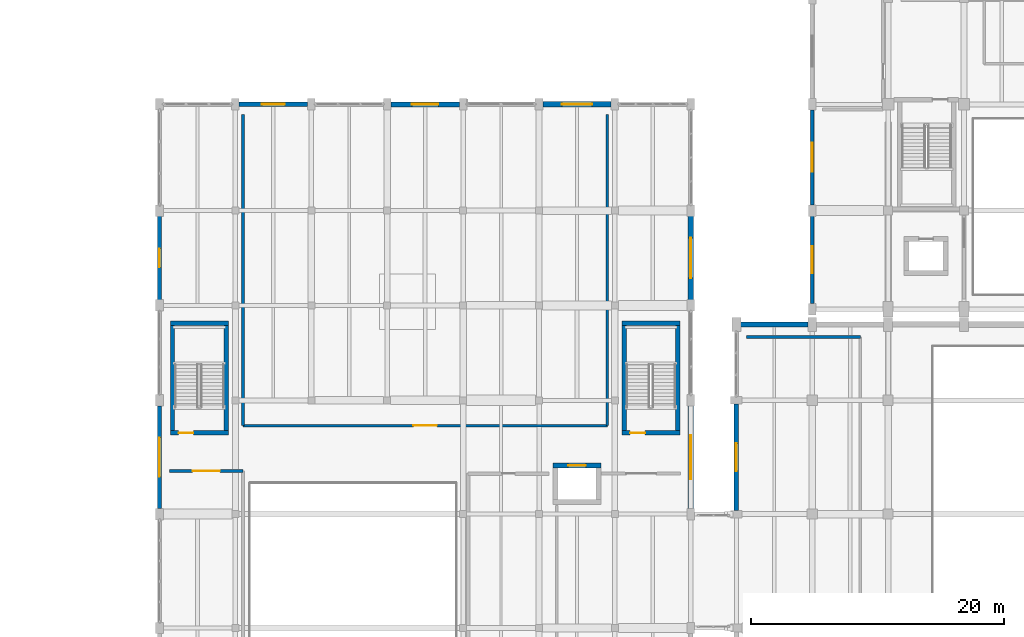
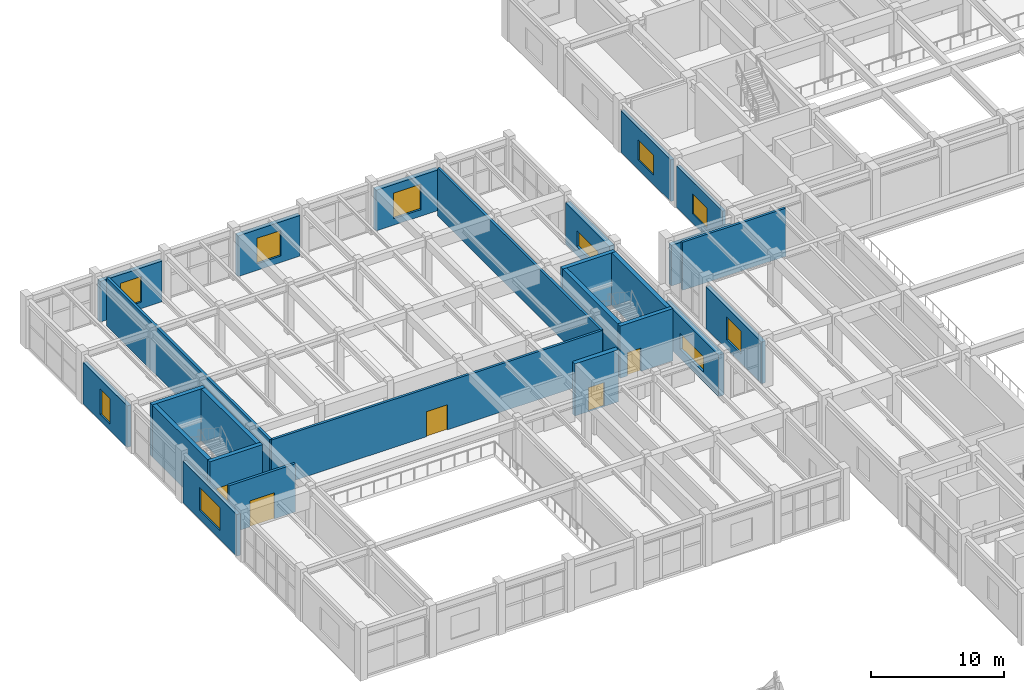
# One storey, part 71 of 96: 25 walls, 10 windows, 5 doors, 15 openings.
"""IFC4 building model written with IfcOpenShell, lengths in metres."""

from ifc_helpers import new_model, si_unit, direction, frame, frame_2d, origin, place, context, subcontext, project, spatial, rectangle, extrude, material, layer, layer_set, type_object, element, fill, save


model = new_model("IFC4")

# Units and contexts
model_context = context("Model", 3, precision=1e-05, world=origin(), true_north=direction((0.0, 1.0)))
body_context = subcontext(model_context, "Body", "Model", "MODEL_VIEW")
ifc_project = project(units=[si_unit("LENGTHUNIT", "METRE"), si_unit("AREAUNIT", "SQUARE_METRE"), si_unit("VOLUMEUNIT", "CUBIC_METRE"), si_unit("PLANEANGLEUNIT", "RADIAN"), si_unit("MASSUNIT", "GRAM", prefix="KILO")], contexts=[model_context])

# Site, building, storey
site_placement = place(None, origin())
site = spatial("IfcSite", under=ifc_project, at=site_placement, CompositionType="ELEMENT")
building_placement = place(site_placement, origin())
building = spatial("IfcBuilding", under=site, at=building_placement, Name="Vaelkrest Opera House", CompositionType="ELEMENT")
storey_placement = place(building_placement, frame((0.0, 0.0, 5.39990234375)))
storey = spatial("IfcBuildingStorey", under=building, at=storey_placement, Name="L01", CompositionType="ELEMENT", Elevation=5.39990234375)

# Wall, opening, window
ifc_material_1 = material(Name="Douglas fir glulam GL28h", Category="wood")
ifc_layer_1 = layer(ifc_material_1, 0.27490234375)
ifc_layer_set_1 = layer_set([ifc_layer_1], Name="Douglas fir glulam GL28h")
wall_type_1 = type_object("IfcWallType", Name="EW02", PredefinedType="STANDARD", material=ifc_layer_set_1)
wall_1_placement = place(storey_placement, frame((-24.0, 17.847900390625, 0.0), z_axis=(0.0, 0.0, 1.0), x_axis=(0.0, 1.0, 0.0)))
wall_1 = element("IfcWall", 1, at=wall_1_placement, inside=storey, type_object=wall_type_1, Name="Exterior facade wall EW-V2-L01-0342", PredefinedType="STANDARD", context=body_context, shape_type="SweptSolid", body=[
    extrude(rectangle(XDim=6.904052734375, YDim=0.27490234375, at=frame_2d((3.4521484375, 0.0))), origin(), (0.0, 0.0, 1.0), 3.8291015625),
])
opening_1_placement = place(wall_1_placement, frame((2.376953125, 0.0, 0.85009765625)))
opening_1 = element("IfcOpeningElement", 2, at=opening_1_placement, cuts=wall_1, Name="Opening WN216", PredefinedType="OPENING", context=body_context, shape_type="SweptSolid", body=[
    extrude(rectangle(XDim=2.14990234375, YDim=1.85009765625, at=frame_2d((1.074951171875, 0.925048828125))), frame((0.0, 0.1474609375, 0.0), z_axis=(0.0, -1.0, 0.0), x_axis=(1.0, 0.0, 0.0)), (0.0, 0.0, 1.0), 0.294921875),
])
ifc_material_2 = material(Name="Double low-E insulated glazing", Category="glass")
window_type_1 = type_object("IfcWindowType", Name="WT08", PartitioningType="SINGLE_PANEL", PredefinedType="WINDOW", material=ifc_material_2)
window_1_placement = place(opening_1_placement, origin())
window_1 = element("IfcWindow", 3, at=window_1_placement, inside=storey, type_object=window_type_1, Name="Facade window WN216", OverallHeight=1.85009765625, OverallWidth=2.14990234375, PartitioningType="SINGLE_PANEL", PredefinedType="WINDOW", context=body_context, shape_type="SweptSolid", body=[
    extrude(rectangle(XDim=2.14990234375, YDim=1.85009765625, at=frame_2d((1.074951171875, 0.925048828125))), frame((0.0, 0.030029296875, 0.0), z_axis=(0.0, -1.0, 0.0), x_axis=(1.0, 0.0, 0.0)), (0.0, 0.0, 1.0), 0.06005859375),
])
fill(opening_1, window_1)

ifc_layer_2 = layer(ifc_material_1, 0.294921875)
ifc_layer_set_2 = layer_set([ifc_layer_2], Name="Douglas fir glulam GL28h")
wall_type_2 = type_object("IfcWallType", Name="EW03", PredefinedType="STANDARD", material=ifc_layer_set_2)
wall_2_placement = place(storey_placement, frame((-24.0, 25.64794921875, 0.0), z_axis=(0.0, 0.0, 1.0), x_axis=(0.0, 1.0, 0.0)))
wall_2 = element("IfcWall", 4, at=wall_2_placement, inside=storey, type_object=wall_type_2, Name="Exterior facade wall EW-V2-L01-0343", PredefinedType="STANDARD", context=body_context, shape_type="SweptSolid", body=[
    extrude(rectangle(XDim=7.504150390625, YDim=0.294921875, at=frame_2d((3.751953125, 0.0))), origin(), (0.0, 0.0, 1.0), 3.8291015625),
])
opening_2_placement = place(wall_2_placement, frame((2.60205078125, 0.0, 0.85009765625)))
opening_2 = element("IfcOpeningElement", 5, at=opening_2_placement, cuts=wall_2, Name="Opening WN217", PredefinedType="OPENING", context=body_context, shape_type="SweptSolid", body=[
    extrude(rectangle(XDim=2.300048828125, YDim=1.85009765625, at=frame_2d((1.14990234375, 0.925048828125))), frame((0.0, 0.157470703125, 0.0), z_axis=(0.0, -1.0, 0.0), x_axis=(1.0, 0.0, 0.0)), (0.0, 0.0, 1.0), 0.31494140625),
])
window_type_2 = type_object("IfcWindowType", Name="WT09", PartitioningType="SINGLE_PANEL", PredefinedType="WINDOW", material=ifc_material_2)
window_2_placement = place(opening_2_placement, origin())
window_2 = element("IfcWindow", 6, at=window_2_placement, inside=storey, type_object=window_type_2, Name="Facade window WN217", OverallHeight=1.85009765625, OverallWidth=2.300048828125, PartitioningType="SINGLE_PANEL", PredefinedType="WINDOW", context=body_context, shape_type="SweptSolid", body=[
    extrude(rectangle(XDim=2.300048828125, YDim=1.85009765625, at=frame_2d((1.14990234375, 0.925048828125))), frame((0.0, 0.030029296875, 0.0), z_axis=(0.0, -1.0, 0.0), x_axis=(1.0, 0.0, 0.0)), (0.0, 0.0, 1.0), 0.06005859375),
])
fill(opening_2, window_2)

ifc_material_3 = material(Name="American black walnut acoustic timber", Category="wood")
ifc_layer_3 = layer(ifc_material_3, 0.31494140625)
ifc_layer_set_3 = layer_set([ifc_layer_3], Name="American black walnut acoustic timber")
wall_type_3 = type_object("IfcWallType", Name="EW04", PredefinedType="STANDARD", material=ifc_layer_set_3)
wall_3_placement = place(storey_placement, frame((-75.60009765625, 1.64794921875, 0.0), z_axis=(0.0, 0.0, 1.0), x_axis=(0.0, 1.0, 0.0)))
wall_3 = element("IfcWall", 7, at=wall_3_placement, inside=storey, type_object=wall_type_3, Name="Exterior facade wall EW-V3-L01-0164", PredefinedType="STANDARD", context=body_context, shape_type="SweptSolid", body=[
    extrude(rectangle(XDim=8.10400390625, YDim=0.31494140625, at=frame_2d((4.052001953125, 0.0))), origin(), (0.0, 0.0, 1.0), 3.82421875),
])
opening_3_placement = place(wall_3_placement, frame((2.501953125, 0.0, 0.85009765625)))
opening_3 = element("IfcOpeningElement", 8, at=opening_3_placement, cuts=wall_3, Name="Opening WN072", PredefinedType="OPENING", context=body_context, shape_type="SweptSolid", body=[
    extrude(rectangle(XDim=3.10009765625, YDim=2.10009765625, at=frame_2d((1.550048828125, 1.050048828125))), frame((0.0, 0.16748046875, 0.0), z_axis=(0.0, -1.0, 0.0), x_axis=(1.0, 0.0, 0.0)), (0.0, 0.0, 1.0), 0.3349609375),
])
window_type_3 = type_object("IfcWindowType", Name="WT20", PartitioningType="SINGLE_PANEL", PredefinedType="WINDOW", material=ifc_material_2)
window_3_placement = place(opening_3_placement, origin())
window_3 = element("IfcWindow", 9, at=window_3_placement, inside=storey, type_object=window_type_3, Name="Facade window WN072", OverallHeight=2.10009765625, OverallWidth=3.10009765625, PartitioningType="SINGLE_PANEL", PredefinedType="WINDOW", context=body_context, shape_type="SweptSolid", body=[
    extrude(rectangle(XDim=3.10009765625, YDim=2.10009765625, at=frame_2d((1.550048828125, 1.050048828125))), frame((0.0, 0.030029296875, 0.0), z_axis=(0.0, -1.0, 0.0), x_axis=(1.0, 0.0, 0.0)), (0.0, 0.0, 1.0), 0.06005859375),
])
fill(opening_3, window_3)

ifc_layer_4 = layer(ifc_material_3, 0.3349609375)
ifc_layer_set_4 = layer_set([ifc_layer_4], Name="American black walnut acoustic timber")
wall_type_4 = type_object("IfcWallType", Name="EW05", PredefinedType="STANDARD", material=ifc_layer_set_4)
wall_4_placement = place(storey_placement, frame((-75.60009765625, 18.14794921875, 0.0), z_axis=(0.0, 0.0, 1.0), x_axis=(0.0, 1.0, 0.0)))
wall_4 = element("IfcWall", 10, at=wall_4_placement, inside=storey, type_object=wall_type_4, Name="Exterior facade wall EW-V3-L01-0165", PredefinedType="STANDARD", context=body_context, shape_type="SweptSolid", body=[
    extrude(rectangle(XDim=6.60400390625, YDim=0.3349609375, at=frame_2d((3.302001953125, 0.0))), origin(), (0.0, 0.0, 1.0), 3.82421875),
])
opening_4_placement = place(wall_4_placement, frame((2.552001953125, 0.0, 0.60009765625)))
opening_4 = element("IfcOpeningElement", 11, at=opening_4_placement, cuts=wall_4, Name="Opening WN073", PredefinedType="OPENING", context=body_context, shape_type="SweptSolid", body=[
    extrude(rectangle(XDim=1.5, YDim=2.35009765625, at=frame_2d((0.75, 1.175048828125))), frame((0.0, 0.177490234375, 0.0), z_axis=(0.0, -1.0, 0.0), x_axis=(1.0, 0.0, 0.0)), (0.0, 0.0, 1.0), 0.35498046875),
])
window_type_4 = type_object("IfcWindowType", Name="WT21", PartitioningType="SINGLE_PANEL", PredefinedType="WINDOW", material=ifc_material_2)
window_4_placement = place(opening_4_placement, origin())
window_4 = element("IfcWindow", 12, at=window_4_placement, inside=storey, type_object=window_type_4, Name="Facade window WN073", OverallHeight=2.35009765625, OverallWidth=1.5, PartitioningType="SINGLE_PANEL", PredefinedType="WINDOW", context=body_context, shape_type="SweptSolid", body=[
    extrude(rectangle(XDim=1.5, YDim=2.35009765625, at=frame_2d((0.75, 1.175048828125))), frame((0.0, 0.030029296875, 0.0), z_axis=(0.0, -1.0, 0.0), x_axis=(1.0, 0.0, 0.0)), (0.0, 0.0, 1.0), 0.06005859375),
])
fill(opening_4, window_4)

ifc_layer_5 = layer(ifc_material_3, 0.360107421875)
ifc_layer_set_5 = layer_set([ifc_layer_5], Name="American black walnut acoustic timber")
wall_type_5 = type_object("IfcWallType", Name="EW06", PredefinedType="STANDARD", material=ifc_layer_set_5)
wall_5_placement = place(storey_placement, frame((-30.0, 1.498046875, 0.0), z_axis=(0.0, 0.0, 1.0), x_axis=(0.0, 1.0, 0.0)))
wall_5 = element("IfcWall", 13, at=wall_5_placement, inside=storey, type_object=wall_type_5, Name="Exterior facade wall EW-V1-L01-0036", PredefinedType="STANDARD", context=body_context, shape_type="SweptSolid", body=[
    extrude(rectangle(XDim=8.404052734375, YDim=0.360107421875, at=frame_2d((4.2021484375, 0.0))), origin(), (0.0, 0.0, 1.0), 3.82421875),
])
opening_5_placement = place(wall_5_placement, frame((3.10205078125, 0.0, 0.85009765625)))
opening_5 = element("IfcOpeningElement", 14, at=opening_5_placement, cuts=wall_5, Name="Opening WN017", PredefinedType="OPENING", context=body_context, shape_type="SweptSolid", body=[
    extrude(rectangle(XDim=2.199951171875, YDim=2.10009765625, at=frame_2d((1.10009765625, 1.050048828125))), frame((0.0, 0.18994140625, 0.0), z_axis=(0.0, -1.0, 0.0), x_axis=(1.0, 0.0, 0.0)), (0.0, 0.0, 1.0), 0.380126953125),
])
window_type_5 = type_object("IfcWindowType", Name="WT17", PartitioningType="SINGLE_PANEL", PredefinedType="WINDOW", material=ifc_material_2)
window_5_placement = place(opening_5_placement, origin())
window_5 = element("IfcWindow", 15, at=window_5_placement, inside=storey, type_object=window_type_5, Name="Facade window WN017", OverallHeight=2.10009765625, OverallWidth=2.199951171875, PartitioningType="SINGLE_PANEL", PredefinedType="WINDOW", context=body_context, shape_type="SweptSolid", body=[
    extrude(rectangle(XDim=2.199951171875, YDim=2.10009765625, at=frame_2d((1.10009765625, 1.050048828125))), frame((0.0, 0.030029296875, 0.0), z_axis=(0.0, -1.0, 0.0), x_axis=(1.0, 0.0, 0.0)), (0.0, 0.0, 1.0), 0.06005859375),
])
fill(opening_5, window_5)

wall_6_placement = place(storey_placement, frame((-69.302001953125, 33.60009765625, 0.0), z_axis=(0.0, 0.0, 1.0), x_axis=(1.0, 0.0, 0.0)))
wall_6 = element("IfcWall", 16, at=wall_6_placement, inside=storey, type_object=wall_type_5, Name="Exterior facade wall EW-V3-L01-0166", PredefinedType="STANDARD", context=body_context, shape_type="SweptSolid", body=[
    extrude(rectangle(XDim=5.404052734375, YDim=0.360107421875, at=frame_2d((2.7021484375, 0.0))), origin(), (0.0, 0.0, 1.0), 3.739990234375),
])
opening_6_placement = place(wall_6_placement, frame((1.802001953125, 0.0, 0.60009765625)))
opening_6 = element("IfcOpeningElement", 17, at=opening_6_placement, cuts=wall_6, Name="Opening WN074", PredefinedType="OPENING", context=body_context, shape_type="SweptSolid", body=[
    extrude(rectangle(XDim=1.800048828125, YDim=2.35009765625, at=frame_2d((0.89990234375, 1.175048828125))), frame((0.0, 0.18994140625, 0.0), z_axis=(0.0, -1.0, 0.0), x_axis=(1.0, 0.0, 0.0)), (0.0, 0.0, 1.0), 0.380126953125),
])
window_type_6 = type_object("IfcWindowType", Name="WT22", PartitioningType="SINGLE_PANEL", PredefinedType="WINDOW", material=ifc_material_2)
window_6_placement = place(opening_6_placement, origin())
window_6 = element("IfcWindow", 18, at=window_6_placement, inside=storey, type_object=window_type_6, Name="Facade window WN074", OverallHeight=2.35009765625, OverallWidth=1.800048828125, PartitioningType="SINGLE_PANEL", PredefinedType="WINDOW", context=body_context, shape_type="SweptSolid", body=[
    extrude(rectangle(XDim=1.800048828125, YDim=2.35009765625, at=frame_2d((0.89990234375, 1.175048828125))), frame((0.0, 0.030029296875, 0.0), z_axis=(0.0, -1.0, 0.0), x_axis=(1.0, 0.0, 0.0)), (0.0, 0.0, 1.0), 0.06005859375),
])
fill(opening_6, window_6)

# Wall
ifc_material_4 = material(Name="Concrete C40/50", Category="concrete")
ifc_layer_6 = layer(ifc_material_4, 0.385009765625)
ifc_layer_set_6 = layer_set([ifc_layer_6], Name="Concrete C40/50")
wall_type_6 = type_object("IfcWallType", Name="EW07", PredefinedType="STANDARD", material=ifc_layer_set_6)
wall_7_placement = place(storey_placement, frame((-29.652099609375, 16.199951171875, 0.0), z_axis=(0.0, 0.0, 1.0), x_axis=(1.0, 0.0, 0.0)))
element("IfcWall", 19, at=wall_7_placement, inside=storey, type_object=wall_type_6, Name="Exterior facade wall EW-V1-L01-0037", PredefinedType="STANDARD", context=body_context, shape_type="SweptSolid", body=[
    extrude(rectangle(XDim=5.30419921875, YDim=0.385009765625, at=frame_2d((2.652099609375, 0.0))), origin(), (0.0, 0.0, 1.0), 3.739990234375),
])

# Wall, opening, window
wall_8_placement = place(storey_placement, frame((-57.302001953125, 33.60009765625, 0.0), z_axis=(0.0, 0.0, 1.0), x_axis=(1.0, 0.0, 0.0)))
wall_8 = element("IfcWall", 20, at=wall_8_placement, inside=storey, type_object=wall_type_6, Name="Exterior facade wall EW-V3-L01-0167", PredefinedType="STANDARD", context=body_context, shape_type="SweptSolid", body=[
    extrude(rectangle(XDim=5.404052734375, YDim=0.385009765625, at=frame_2d((2.7021484375, 0.0))), origin(), (0.0, 0.0, 1.0), 3.739990234375),
])
opening_7_placement = place(wall_8_placement, frame((1.652099609375, 0.0, 0.60009765625)))
opening_7 = element("IfcOpeningElement", 21, at=opening_7_placement, cuts=wall_8, Name="Opening WN075", PredefinedType="OPENING", context=body_context, shape_type="SweptSolid", body=[
    extrude(rectangle(XDim=2.10009765625, YDim=2.35009765625, at=frame_2d((1.050048828125, 1.175048828125))), frame((0.0, 0.202392578125, 0.0), z_axis=(0.0, -1.0, 0.0), x_axis=(1.0, 0.0, 0.0)), (0.0, 0.0, 1.0), 0.405029296875),
])
window_type_7 = type_object("IfcWindowType", Name="WT23", PartitioningType="SINGLE_PANEL", PredefinedType="WINDOW", material=ifc_material_2)
window_7_placement = place(opening_7_placement, origin())
window_7 = element("IfcWindow", 22, at=window_7_placement, inside=storey, type_object=window_type_7, Name="Facade window WN075", OverallHeight=2.35009765625, OverallWidth=2.10009765625, PartitioningType="SINGLE_PANEL", PredefinedType="WINDOW", context=body_context, shape_type="SweptSolid", body=[
    extrude(rectangle(XDim=2.10009765625, YDim=2.35009765625, at=frame_2d((1.050048828125, 1.175048828125))), frame((0.0, 0.030029296875, 0.0), z_axis=(0.0, -1.0, 0.0), x_axis=(1.0, 0.0, 0.0)), (0.0, 0.0, 1.0), 0.06005859375),
])
fill(opening_7, window_7)

ifc_layer_7 = layer(ifc_material_4, 0.409912109375)
ifc_layer_set_7 = layer_set([ifc_layer_7], Name="Concrete C40/50")
wall_type_7 = type_object("IfcWallType", Name="EW08", PredefinedType="STANDARD", material=ifc_layer_set_7)
wall_9_placement = place(storey_placement, frame((-45.302001953125, 33.60009765625, 0.0), z_axis=(0.0, 0.0, 1.0), x_axis=(1.0, 0.0, 0.0)))
wall_9 = element("IfcWall", 23, at=wall_9_placement, inside=storey, type_object=wall_type_7, Name="Exterior facade wall EW-V3-L01-0168", PredefinedType="STANDARD", context=body_context, shape_type="SweptSolid", body=[
    extrude(rectangle(XDim=5.404052734375, YDim=0.409912109375, at=frame_2d((2.7021484375, 0.0))), origin(), (0.0, 0.0, 1.0), 3.739990234375),
])
opening_8_placement = place(wall_9_placement, frame((1.501953125, 0.0, 0.60009765625)))
opening_8 = element("IfcOpeningElement", 24, at=opening_8_placement, cuts=wall_9, Name="Opening WN076", PredefinedType="OPENING", context=body_context, shape_type="SweptSolid", body=[
    extrude(rectangle(XDim=2.39990234375, YDim=2.35009765625, at=frame_2d((1.199951171875, 1.175048828125))), frame((0.0, 0.21484375, 0.0), z_axis=(0.0, -1.0, 0.0), x_axis=(1.0, 0.0, 0.0)), (0.0, 0.0, 1.0), 0.429931640625),
])
window_type_8 = type_object("IfcWindowType", Name="WT24", PartitioningType="SINGLE_PANEL", PredefinedType="WINDOW", material=ifc_material_2)
window_8_placement = place(opening_8_placement, origin())
window_8 = element("IfcWindow", 25, at=window_8_placement, inside=storey, type_object=window_type_8, Name="Facade window WN076", OverallHeight=2.35009765625, OverallWidth=2.39990234375, PartitioningType="SINGLE_PANEL", PredefinedType="WINDOW", context=body_context, shape_type="SweptSolid", body=[
    extrude(rectangle(XDim=2.39990234375, YDim=2.35009765625, at=frame_2d((1.199951171875, 1.175048828125))), frame((0.0, 0.030029296875, 0.0), z_axis=(0.0, -1.0, 0.0), x_axis=(1.0, 0.0, 0.0)), (0.0, 0.0, 1.0), 0.06005859375),
])
fill(opening_8, window_8)

ifc_layer_8 = layer(ifc_material_4, 0.43505859375)
ifc_layer_set_8 = layer_set([ifc_layer_8], Name="Concrete C40/50")
wall_type_8 = type_object("IfcWallType", Name="EW09", PredefinedType="STANDARD", material=ifc_layer_set_8)
wall_10_placement = place(storey_placement, frame((-33.60009765625, 24.751953125, 0.0), z_axis=(0.0, 0.0, 1.0), x_axis=(0.0, -1.0, 0.0)))
wall_10 = element("IfcWall", 26, at=wall_10_placement, inside=storey, type_object=wall_type_8, Name="Exterior facade wall EW-V3-L01-0169", PredefinedType="STANDARD", context=body_context, shape_type="SweptSolid", body=[
    extrude(rectangle(XDim=6.60400390625, YDim=0.43505859375, at=frame_2d((3.302001953125, 0.0))), origin(), (0.0, 0.0, 1.0), 3.82421875),
])
opening_9_placement = place(wall_10_placement, frame((1.701904296875, 0.0, 0.85009765625)))
opening_9 = element("IfcOpeningElement", 27, at=opening_9_placement, cuts=wall_10, Name="Opening WN077", PredefinedType="OPENING", context=body_context, shape_type="SweptSolid", body=[
    extrude(rectangle(XDim=3.199951171875, YDim=1.449951171875, at=frame_2d((1.60009765625, 0.72509765625))), frame((0.0, 0.2275390625, 0.0), z_axis=(0.0, -1.0, 0.0), x_axis=(1.0, 0.0, 0.0)), (0.0, 0.0, 1.0), 0.455078125),
])
window_type_9 = type_object("IfcWindowType", Name="WT25", PartitioningType="SINGLE_PANEL", PredefinedType="WINDOW", material=ifc_material_2)
window_9_placement = place(opening_9_placement, origin())
window_9 = element("IfcWindow", 28, at=window_9_placement, inside=storey, type_object=window_type_9, Name="Facade window WN077", OverallHeight=1.449951171875, OverallWidth=3.199951171875, PartitioningType="SINGLE_PANEL", PredefinedType="WINDOW", context=body_context, shape_type="SweptSolid", body=[
    extrude(rectangle(XDim=3.199951171875, YDim=1.449951171875, at=frame_2d((1.60009765625, 0.72509765625))), frame((0.0, 0.030029296875, 0.0), z_axis=(0.0, -1.0, 0.0), x_axis=(1.0, 0.0, 0.0)), (0.0, 0.0, 1.0), 0.06005859375),
])
fill(opening_9, window_9)

ifc_layer_9 = layer(ifc_material_4, 0.465087890625)
ifc_layer_set_9 = layer_set([ifc_layer_9], Name="Concrete C40/50")
wall_type_9 = type_object("IfcWallType", Name="EW10", PredefinedType="STANDARD", material=ifc_layer_set_9)
wall_11_placement = place(storey_placement, frame((-33.60009765625, 9.751953125, 0.0), z_axis=(0.0, 0.0, 1.0), x_axis=(0.0, -1.0, 0.0)))
wall_11 = element("IfcWall", 29, at=wall_11_placement, inside=storey, type_object=wall_type_9, Name="Exterior facade wall EW-V3-L01-0170", PredefinedType="STANDARD", context=body_context, shape_type="SweptSolid", body=[
    extrude(rectangle(XDim=8.10400390625, YDim=0.465087890625, at=frame_2d((4.052001953125, 0.0))), origin(), (0.0, 0.0, 1.0), 3.82421875),
])
opening_10_placement = place(wall_11_placement, frame((2.302001953125, 0.0, 0.85009765625)))
opening_10 = element("IfcOpeningElement", 30, at=opening_10_placement, cuts=wall_11, Name="Opening WN078", PredefinedType="OPENING", context=body_context, shape_type="SweptSolid", body=[
    extrude(rectangle(XDim=3.5, YDim=1.449951171875, at=frame_2d((1.75, 0.72509765625))), frame((0.0, 0.242431640625, 0.0), z_axis=(0.0, -1.0, 0.0), x_axis=(1.0, 0.0, 0.0)), (0.0, 0.0, 1.0), 0.485107421875),
])
window_type_10 = type_object("IfcWindowType", Name="WT26", PartitioningType="SINGLE_PANEL", PredefinedType="WINDOW", material=ifc_material_2)
window_10_placement = place(opening_10_placement, origin())
window_10 = element("IfcWindow", 31, at=window_10_placement, inside=storey, type_object=window_type_10, Name="Facade window WN078", OverallHeight=1.449951171875, OverallWidth=3.5, PartitioningType="SINGLE_PANEL", PredefinedType="WINDOW", context=body_context, shape_type="SweptSolid", body=[
    extrude(rectangle(XDim=3.5, YDim=1.449951171875, at=frame_2d((1.75, 0.72509765625))), frame((0.0, 0.030029296875, 0.0), z_axis=(0.0, -1.0, 0.0), x_axis=(1.0, 0.0, 0.0)), (0.0, 0.0, 1.0), 0.06005859375),
])
fill(opening_10, window_10)

# Wall
ifc_layer_10 = layer(ifc_material_3, 0.2099609375)
ifc_layer_set_10 = layer_set([ifc_layer_10], Name="American black walnut acoustic timber")
wall_type_10 = type_object("IfcWallType", Name="PT07", PredefinedType="PARTITIONING", material=ifc_layer_set_10)
wall_12_placement = place(storey_placement, frame((-29.199951171875, 15.199951171875, 0.0), z_axis=(0.0, 0.0, 1.0), x_axis=(1.0, 0.0, 0.0)))
element("IfcWall", 32, at=wall_12_placement, inside=storey, type_object=wall_type_10, Name="Interior partition PT-V1-L01-0063", PredefinedType="PARTITIONING", context=body_context, shape_type="SweptSolid", body=[
    extrude(rectangle(XDim=9.0, YDim=0.2099609375, at=frame_2d((4.5, 0.0))), origin(), (0.0, 0.0, 1.0), 4.420166015625),
])

# Wall, opening, door
wall_13_placement = place(storey_placement, frame((-69.0, 8.199951171875, 0.0), z_axis=(0.0, 0.0, 1.0), x_axis=(1.0, 0.0, 0.0)))
wall_13 = element("IfcWall", 33, at=wall_13_placement, inside=storey, type_object=wall_type_10, Name="Interior partition PT-V3-L01-0287", PredefinedType="PARTITIONING", context=body_context, shape_type="SweptSolid", body=[
    extrude(rectangle(XDim=28.800048828125, YDim=0.2099609375, at=frame_2d((14.39990234375, 0.0))), origin(), (0.0, 0.0, 1.0), 4.420166015625),
])
opening_11_placement = place(wall_13_placement, frame((13.47509765625, 0.0, 0.0)))
opening_11 = element("IfcOpeningElement", 34, at=opening_11_placement, cuts=wall_13, Name="Opening D113", PredefinedType="OPENING", context=body_context, shape_type="SweptSolid", body=[
    extrude(rectangle(XDim=1.85009765625, YDim=2.300048828125, at=frame_2d((0.925048828125, 1.14990234375))), frame((0.0, 0.114990234375, 0.0), z_axis=(0.0, -1.0, 0.0), x_axis=(1.0, 0.0, 0.0)), (0.0, 0.0, 1.0), 0.22998046875),
])
door_type_1 = type_object("IfcDoorType", Name="DT15", OperationType="DOUBLE_DOOR_SINGLE_SWING", PredefinedType="DOOR", material=ifc_material_3)
door_1_placement = place(opening_11_placement, origin())
door_1 = element("IfcDoor", 35, at=door_1_placement, inside=storey, type_object=door_type_1, Name="Interior door D113 (Orchestra Rehearsal Stage)", OperationType="DOUBLE_DOOR_SINGLE_SWING", OverallHeight=2.300048828125, OverallWidth=1.85009765625, PredefinedType="DOOR", context=body_context, shape_type="SweptSolid", body=[
    extrude(rectangle(XDim=1.85009765625, YDim=2.300048828125, at=frame_2d((0.925048828125, 1.14990234375))), frame((0.0, 0.02490234375, 0.0), z_axis=(0.0, -1.0, 0.0), x_axis=(1.0, 0.0, 0.0)), (0.0, 0.0, 1.0), 0.050048828125),
])
fill(opening_11, door_1)

# Walls
wall_14_placement = place(storey_placement, frame((-40.199951171875, 8.199951171875, 0.0), z_axis=(0.0, 0.0, 1.0), x_axis=(0.0, 1.0, 0.0)))
element("IfcWall", 36, at=wall_14_placement, inside=storey, type_object=wall_type_10, Name="Interior partition PT-V3-L01-0289", PredefinedType="PARTITIONING", context=body_context, shape_type="SweptSolid", body=[
    extrude(rectangle(XDim=24.60009765625, YDim=0.2099609375, at=frame_2d((12.300048828125, 0.0))), origin(), (0.0, 0.0, 1.0), 4.420166015625),
])
ifc_layer_11 = layer(ifc_material_3, 0.22509765625)
ifc_layer_set_11 = layer_set([ifc_layer_11], Name="American black walnut acoustic timber")
wall_type_11 = type_object("IfcWallType", Name="PT08", PredefinedType="PARTITIONING", material=ifc_layer_set_11)
wall_15_placement = place(storey_placement, frame((-69.0, 8.199951171875, 0.0), z_axis=(0.0, 0.0, 1.0), x_axis=(0.0, 1.0, 0.0)))
element("IfcWall", 37, at=wall_15_placement, inside=storey, type_object=wall_type_11, Name="Interior partition PT-V3-L01-0288", PredefinedType="PARTITIONING", context=body_context, shape_type="SweptSolid", body=[
    extrude(rectangle(XDim=24.60009765625, YDim=0.22509765625, at=frame_2d((12.300048828125, 0.0))), origin(), (0.0, 0.0, 1.0), 4.420166015625),
])

# Wall, opening, door
wall_16_placement = place(storey_placement, frame((-74.800048828125, 4.60009765625, 0.0), z_axis=(0.0, 0.0, 1.0), x_axis=(1.0, 0.0, 0.0)))
wall_16 = element("IfcWall", 38, at=wall_16_placement, inside=storey, type_object=wall_type_11, Name="Interior partition PT-V3-L01-0292", PredefinedType="PARTITIONING", context=body_context, shape_type="SweptSolid", body=[
    extrude(rectangle(XDim=5.800048828125, YDim=0.22509765625, at=frame_2d((2.89990234375, 0.0))), origin(), (0.0, 0.0, 1.0), 4.420166015625),
])
opening_12_placement = place(wall_16_placement, frame((1.824951171875, 0.0, 0.0)))
opening_12 = element("IfcOpeningElement", 39, at=opening_12_placement, cuts=wall_16, Name="Opening D115", PredefinedType="OPENING", context=body_context, shape_type="SweptSolid", body=[
    extrude(rectangle(XDim=2.14990234375, YDim=2.39990234375, at=frame_2d((1.074951171875, 1.199951171875))), frame((0.0, 0.12255859375, 0.0), z_axis=(0.0, -1.0, 0.0), x_axis=(1.0, 0.0, 0.0)), (0.0, 0.0, 1.0), 0.2451171875),
])
door_type_2 = type_object("IfcDoorType", Name="DT17", OperationType="DOUBLE_DOOR_SINGLE_SWING", PredefinedType="DOOR", material=ifc_material_3)
door_2_placement = place(opening_12_placement, origin())
door_2 = element("IfcDoor", 40, at=door_2_placement, inside=storey, type_object=door_type_2, Name="Interior door D115 (Coaching Suite)", OperationType="DOUBLE_DOOR_SINGLE_SWING", OverallHeight=2.39990234375, OverallWidth=2.14990234375, PredefinedType="DOOR", context=body_context, shape_type="SweptSolid", body=[
    extrude(rectangle(XDim=2.14990234375, YDim=2.39990234375, at=frame_2d((1.074951171875, 1.199951171875))), frame((0.0, 0.02490234375, 0.0), z_axis=(0.0, -1.0, 0.0), x_axis=(1.0, 0.0, 0.0)), (0.0, 0.0, 1.0), 0.050048828125),
])
fill(opening_12, door_2)

ifc_material_5 = material(Name="Concrete C50/60", Category="concrete")
ifc_layer_12 = layer(ifc_material_5, 0.35009765625)
ifc_layer_set_12 = layer_set([ifc_layer_12], Name="Concrete C50/60")
wall_type_12 = type_object("IfcWallType", Name="SW01", PredefinedType="SHEAR", material=ifc_layer_set_12)
wall_17_placement = place(storey_placement, frame((-70.14990234375, 7.625, 0.0), z_axis=(0.0, 0.0, 1.0), x_axis=(-1.0, 0.0, 0.0)))
wall_17 = element("IfcWall", 41, at=wall_17_placement, inside=storey, type_object=wall_type_12, Name="Stair core ST07 wall L01 S", PredefinedType="SHEAR", context=body_context, shape_type="SweptSolid", body=[
    extrude(rectangle(XDim=4.60009765625, YDim=0.35009765625, at=frame_2d((2.300048828125, 0.0))), origin(), (0.0, 0.0, 1.0), 4.800048828125),
])
opening_13_placement = place(wall_17_placement, frame((2.77001953125, 0.0, 0.0)))
opening_13 = element("IfcOpeningElement", 42, at=opening_13_placement, cuts=wall_17, Name="Opening SD-ST07-L01", PredefinedType="OPENING", context=body_context, shape_type="SweptSolid", body=[
    extrude(rectangle(XDim=1.179931640625, YDim=2.14990234375, at=frame_2d((0.58984375, 1.074951171875))), frame((0.0, 0.18505859375, 0.0), z_axis=(0.0, -1.0, 0.0), x_axis=(1.0, 0.0, 0.0)), (0.0, 0.0, 1.0), 0.3701171875),
])
door_type_3 = type_object("IfcDoorType", Name="DT07", OperationType="NOTDEFINED", PredefinedType="DOOR", material=ifc_material_3)
door_3_placement = place(opening_13_placement, origin())
door_3 = element("IfcDoor", 43, at=door_3_placement, inside=storey, type_object=door_type_3, Name="Protected stair door SD-ST07-L01", OperationType="SINGLE_SWING_RIGHT", OverallHeight=2.14990234375, OverallWidth=1.179931640625, PredefinedType="DOOR", context=body_context, shape_type="SweptSolid", body=[
    extrude(rectangle(XDim=1.179931640625, YDim=2.14990234375, at=frame_2d((0.58984375, 1.074951171875))), frame((0.0, 0.02490234375, 0.0), z_axis=(0.0, -1.0, 0.0), x_axis=(1.0, 0.0, 0.0)), (0.0, 0.0, 1.0), 0.050048828125),
])
fill(opening_13, door_3)

# Walls
wall_18_placement = place(storey_placement, frame((-74.574951171875, 7.800048828125, 0.0), z_axis=(0.0, 0.0, 1.0), x_axis=(0.0, 1.0, 0.0)))
element("IfcWall", 44, at=wall_18_placement, inside=storey, type_object=wall_type_12, Name="Stair core ST07 wall L01 W", PredefinedType="SHEAR", context=body_context, shape_type="SweptSolid", body=[
    extrude(rectangle(XDim=8.300048828125, YDim=0.35009765625, at=frame_2d((4.14990234375, 0.0))), origin(), (0.0, 0.0, 1.0), 4.800048828125),
])
wall_19_placement = place(storey_placement, frame((-74.75, 16.27490234375, 0.0), z_axis=(0.0, 0.0, 1.0), x_axis=(1.0, 0.0, 0.0)))
element("IfcWall", 45, at=wall_19_placement, inside=storey, type_object=wall_type_12, Name="Stair core ST07 wall L01 N", PredefinedType="SHEAR", context=body_context, shape_type="SweptSolid", body=[
    extrude(rectangle(XDim=4.60009765625, YDim=0.35009765625, at=frame_2d((2.300048828125, 0.0))), origin(), (0.0, 0.0, 1.0), 4.800048828125),
])
wall_20_placement = place(storey_placement, frame((-70.324951171875, 16.10009765625, 0.0), z_axis=(0.0, 0.0, 1.0), x_axis=(0.0, -1.0, 0.0)))
element("IfcWall", 46, at=wall_20_placement, inside=storey, type_object=wall_type_12, Name="Stair core ST07 wall L01 E", PredefinedType="SHEAR", context=body_context, shape_type="SweptSolid", body=[
    extrude(rectangle(XDim=8.300048828125, YDim=0.35009765625, at=frame_2d((4.14990234375, 0.0))), origin(), (0.0, 0.0, 1.0), 4.800048828125),
])

# Wall, opening, door
wall_21_placement = place(storey_placement, frame((-34.449951171875, 7.625, 0.0), z_axis=(0.0, 0.0, 1.0), x_axis=(-1.0, 0.0, 0.0)))
wall_21 = element("IfcWall", 47, at=wall_21_placement, inside=storey, type_object=wall_type_12, Name="Stair core ST08 wall L01 S", PredefinedType="SHEAR", context=body_context, shape_type="SweptSolid", body=[
    extrude(rectangle(XDim=4.60009765625, YDim=0.35009765625, at=frame_2d((2.300048828125, 0.0))), origin(), (0.0, 0.0, 1.0), 4.800048828125),
])
opening_14_placement = place(wall_21_placement, frame((2.77001953125, 0.0, 0.0)))
opening_14 = element("IfcOpeningElement", 48, at=opening_14_placement, cuts=wall_21, Name="Opening SD-ST08-L01", PredefinedType="OPENING", context=body_context, shape_type="SweptSolid", body=[
    extrude(rectangle(XDim=1.179931640625, YDim=2.14990234375, at=frame_2d((0.58984375, 1.074951171875))), frame((0.0, 0.18505859375, 0.0), z_axis=(0.0, -1.0, 0.0), x_axis=(1.0, 0.0, 0.0)), (0.0, 0.0, 1.0), 0.3701171875),
])
door_4_placement = place(opening_14_placement, origin())
door_4 = element("IfcDoor", 49, at=door_4_placement, inside=storey, type_object=door_type_3, Name="Protected stair door SD-ST08-L01", OperationType="SINGLE_SWING_RIGHT", OverallHeight=2.14990234375, OverallWidth=1.179931640625, PredefinedType="DOOR", context=body_context, shape_type="SweptSolid", body=[
    extrude(rectangle(XDim=1.179931640625, YDim=2.14990234375, at=frame_2d((0.58984375, 1.074951171875))), frame((0.0, 0.02490234375, 0.0), z_axis=(0.0, -1.0, 0.0), x_axis=(1.0, 0.0, 0.0)), (0.0, 0.0, 1.0), 0.050048828125),
])
fill(opening_14, door_4)

# Walls
wall_22_placement = place(storey_placement, frame((-38.875, 7.800048828125, 0.0), z_axis=(0.0, 0.0, 1.0), x_axis=(0.0, 1.0, 0.0)))
element("IfcWall", 50, at=wall_22_placement, inside=storey, type_object=wall_type_12, Name="Stair core ST08 wall L01 W", PredefinedType="SHEAR", context=body_context, shape_type="SweptSolid", body=[
    extrude(rectangle(XDim=8.300048828125, YDim=0.35009765625, at=frame_2d((4.14990234375, 0.0))), origin(), (0.0, 0.0, 1.0), 4.800048828125),
])
wall_23_placement = place(storey_placement, frame((-39.050048828125, 16.27490234375, 0.0), z_axis=(0.0, 0.0, 1.0), x_axis=(1.0, 0.0, 0.0)))
element("IfcWall", 51, at=wall_23_placement, inside=storey, type_object=wall_type_12, Name="Stair core ST08 wall L01 N", PredefinedType="SHEAR", context=body_context, shape_type="SweptSolid", body=[
    extrude(rectangle(XDim=4.60009765625, YDim=0.35009765625, at=frame_2d((2.300048828125, 0.0))), origin(), (0.0, 0.0, 1.0), 4.800048828125),
])
wall_24_placement = place(storey_placement, frame((-34.625, 16.10009765625, 0.0), z_axis=(0.0, 0.0, 1.0), x_axis=(0.0, -1.0, 0.0)))
element("IfcWall", 52, at=wall_24_placement, inside=storey, type_object=wall_type_12, Name="Stair core ST08 wall L01 E", PredefinedType="SHEAR", context=body_context, shape_type="SweptSolid", body=[
    extrude(rectangle(XDim=8.300048828125, YDim=0.35009765625, at=frame_2d((4.14990234375, 0.0))), origin(), (0.0, 0.0, 1.0), 4.800048828125),
])

# Wall, opening, door
ifc_layer_13 = layer(ifc_material_5, 0.389892578125)
ifc_layer_set_13 = layer_set([ifc_layer_13], Name="Concrete C50/60")
wall_type_13 = type_object("IfcWallType", Name="SW02", PredefinedType="SHEAR", material=ifc_layer_set_13)
wall_25_placement = place(storey_placement, frame((-44.489990234375, 5.044921875, 0.0), z_axis=(0.0, 0.0, 1.0), x_axis=(1.0, 0.0, 0.0)))
wall_25 = element("IfcWall", 53, at=wall_25_placement, inside=storey, type_object=wall_type_13, Name="Lift shaft LP05 wall L01 N", PredefinedType="SHEAR", context=body_context, shape_type="SweptSolid", body=[
    extrude(rectangle(XDim=3.780029296875, YDim=0.389892578125, at=frame_2d((1.89013671875, 0.0))), origin(), (0.0, 0.0, 1.0), 4.800048828125),
])
opening_15_placement = place(wall_25_placement, frame((1.18994140625, 0.0, 0.0)))
opening_15 = element("IfcOpeningElement", 54, at=opening_15_placement, cuts=wall_25, Name="Opening LD-LP05-L01", PredefinedType="OPENING", context=body_context, shape_type="SweptSolid", body=[
    extrude(rectangle(XDim=1.39990234375, YDim=2.199951171875, at=frame_2d((0.699951171875, 1.10009765625))), frame((0.0, 0.204833984375, 0.0), z_axis=(0.0, -1.0, 0.0), x_axis=(1.0, 0.0, 0.0)), (0.0, 0.0, 1.0), 0.409912109375),
])
ifc_material_6 = material(Name="Dark bronze anodized aluminium", Category="aluminium")
door_type_4 = type_object("IfcDoorType", Name="LDT02", OperationType="SLIDING_TO_LEFT", PredefinedType="DOOR", material=ifc_material_6)
door_5_placement = place(opening_15_placement, origin())
door_5 = element("IfcDoor", 55, at=door_5_placement, inside=storey, type_object=door_type_4, Name="Lift landing sliding door LD-LP05-L01", OperationType="SLIDING_TO_LEFT", OverallHeight=2.199951171875, OverallWidth=1.39990234375, PredefinedType="DOOR", context=body_context, shape_type="SweptSolid", body=[
    extrude(rectangle(XDim=1.39990234375, YDim=2.199951171875, at=frame_2d((0.699951171875, 1.10009765625))), frame((0.0, 0.02490234375, 0.0), z_axis=(0.0, -1.0, 0.0), x_axis=(1.0, 0.0, 0.0)), (0.0, 0.0, 1.0), 0.050048828125),
])
fill(opening_15, door_5)

save(model, "model.ifc")
